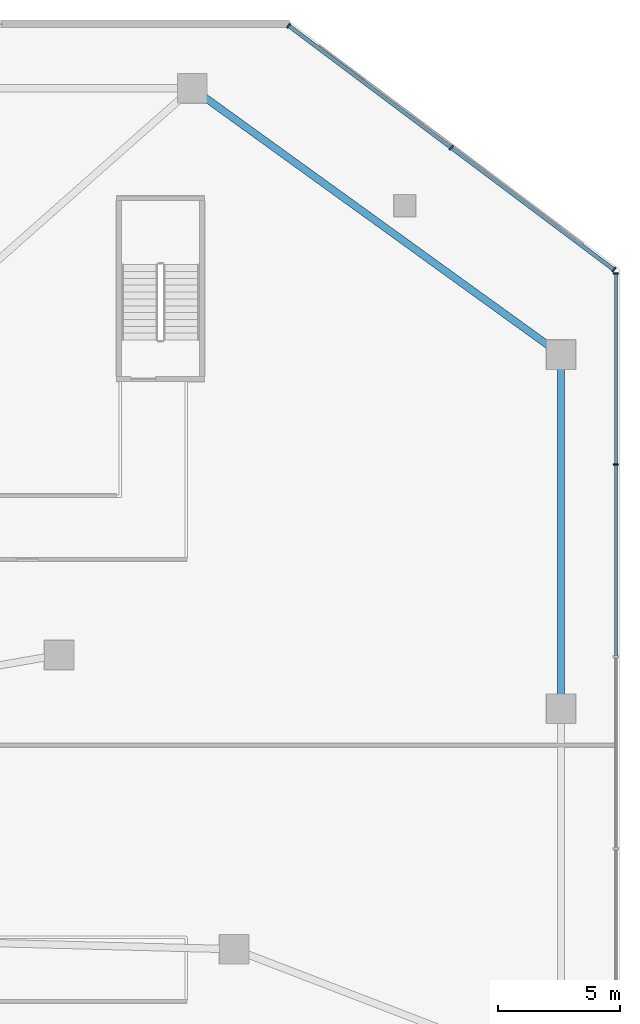
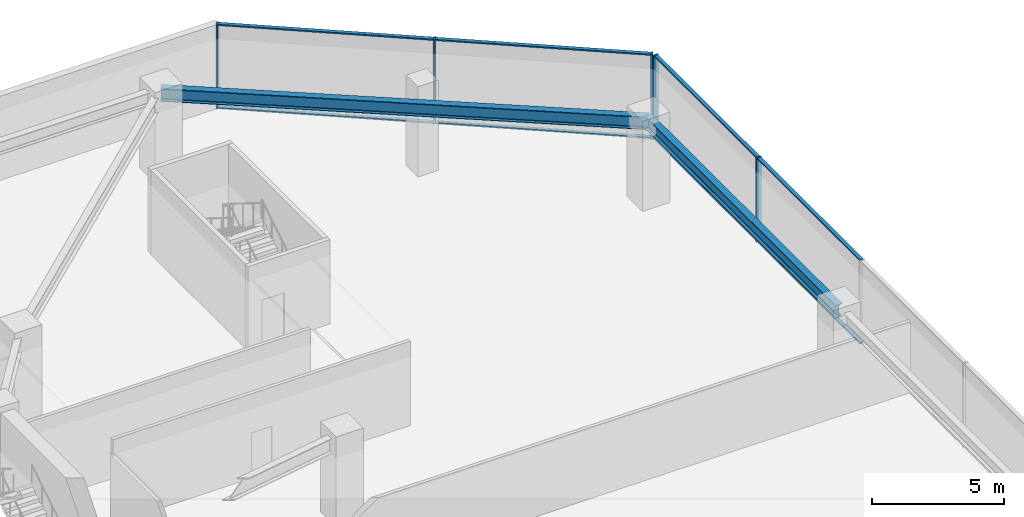
# One storey, part 9 of 21: 13 members, 2 beams, 2 elements without a shape of their own.
"""IFC4 building model written with IfcOpenShell, lengths in metres."""

from ifc_helpers import new_model, si_unit, direction, frame, origin, origin_2d, place, context, subcontext, project, spatial, rectangle, i_section, extrude, material, material_profile, profile_set, type_object, element, aggregate, save


model = new_model("IFC4")

# Units and contexts
model_context = context("Model", 3, precision=1e-05, world=origin(), true_north=direction((0.0, 1.0)))
body_context = subcontext(model_context, "Body", "Model", "MODEL_VIEW")
ifc_project = project(units=[si_unit("LENGTHUNIT", "METRE"), si_unit("AREAUNIT", "SQUARE_METRE"), si_unit("VOLUMEUNIT", "CUBIC_METRE"), si_unit("PLANEANGLEUNIT", "RADIAN"), si_unit("MASSUNIT", "GRAM", prefix="KILO")], contexts=[model_context])

# Site, building, storey
site_placement = place(None, origin())
site = spatial("IfcSite", under=ifc_project, at=site_placement, CompositionType="ELEMENT")
building_placement = place(site_placement, origin())
building = spatial("IfcBuilding", under=site, at=building_placement, Name="Savorim Split Tower", CompositionType="ELEMENT")
storey_placement = place(building_placement, frame((0.0, 0.0, 9.199951171875)))
storey = spatial("IfcBuildingStorey", under=building, at=storey_placement, Name="L02", CompositionType="ELEMENT", Elevation=9.199951171875)

# Beams
ifc_material_1 = material(Name="Steel S355", Category="steel")
ifc_material_profile_1 = material_profile(ifc_material_1, i_section(OverallWidth=0.300048828125, OverallDepth=0.590087890625, WebThickness=0.012939453125, FlangeThickness=0.02490234375, FilletRadius=0.027099609375, at=origin_2d()), Name="HEA 600")
ifc_profile_set_1 = profile_set([ifc_material_profile_1], Name="Steel S355")
beam_type = type_object("IfcBeamType", Name="BM-SPN-HEA600", PredefinedType="SPANDREL", material=ifc_profile_set_1)
beam_1_placement = place(storey_placement, frame((38.60009765625, 0.0, 3.625), z_axis=(0.0, 1.0, 0.0), x_axis=(-1.0, 0.0, 0.0)))
element("IfcBeam", 1, at=beam_1_placement, inside=storey, type_object=beam_type, Name="L02 Podium Spandrel Beam 4", PredefinedType="SPANDREL", context=body_context, shape_type="SweptSolid", body=[
    extrude(i_section(OverallWidth=0.300048828125, OverallDepth=0.590087890625, WebThickness=0.012939453125, FlangeThickness=0.02490234375, FilletRadius=0.027099609375, at=origin_2d()), origin(), (0.0, 0.0, 1.0), 14.5),
])
beam_2_placement = place(storey_placement, frame((38.60009765625, 14.5, 3.625), z_axis=(-0.810825083438, 0.585288547699, 0.0), x_axis=(-0.585288547699, -0.810825083438, 0.0)))
element("IfcBeam", 2, at=beam_2_placement, inside=storey, type_object=beam_type, Name="L02 Podium Spandrel Beam 5", PredefinedType="SPANDREL", context=body_context, shape_type="SweptSolid", body=[
    extrude(i_section(OverallWidth=0.300048828125, OverallDepth=0.590087890625, WebThickness=0.012939453125, FlangeThickness=0.02490234375, FilletRadius=0.027099609375, at=origin_2d()), origin(), (0.0, 0.0, 1.0), 18.623046875),
])

# Curtain wall, members
ifc_material_2 = material(Name="Dark Ceramic-Fritted Insulated Glass", Category="glass")
curtain_wall_type = type_object("IfcCurtainWallType", Name="CW-POD-GLZ", PredefinedType="NOTDEFINED", material=ifc_material_2)
curtain_wall_1_placement = place(storey_placement, origin())
curtain_wall_1 = element("IfcCurtainWall", 3, at=curtain_wall_1_placement, inside=storey, type_object=curtain_wall_type, Name="L02 Curtain Wall CW-L02-E06", PredefinedType="NOTDEFINED")
ifc_material_3 = material(Name="Charcoal Anodised Aluminium", Category="aluminium")
ifc_material_profile_2 = material_profile(ifc_material_3, rectangle(XDim=0.219970703125, YDim=0.070068359375, at=origin_2d()), Name="ALU-M 220x70")
ifc_profile_set_2 = profile_set([ifc_material_profile_2], Name="Charcoal Anodised Aluminium")
member_type_1 = type_object("IfcMemberType", Name="CWM-220x70", PredefinedType="MULLION", material=ifc_profile_set_2)
member_1_placement = place(storey_placement, frame((40.840087890625, 9.99609375, 0.0), z_axis=(0.0, 0.0, 1.0), x_axis=(-1.0, 0.0, 0.0)))
member_1 = element("IfcMember", 4, at=member_1_placement, type_object=member_type_1, Name="CW-01 mullion 5", PredefinedType="MULLION", context=body_context, shape_type="SweptSolid", body=[
    extrude(rectangle(XDim=0.219970703125, YDim=0.070068359375, at=origin_2d()), origin(), (0.0, 0.0, 1.0), 3.920166015625),
])
member_2_placement = place(storey_placement, frame((40.840087890625, 17.824951171875, 0.0), z_axis=(0.0, 0.0, 1.0), x_axis=(-1.0, 0.0, 0.0)))
member_2 = element("IfcMember", 5, at=member_2_placement, type_object=member_type_1, Name="CW-01 mullion 6", PredefinedType="MULLION", context=body_context, shape_type="SweptSolid", body=[
    extrude(rectangle(XDim=0.219970703125, YDim=0.070068359375, at=origin_2d()), origin(), (0.0, 0.0, 1.0), 3.920166015625),
])

curtain_wall_2_placement = place(storey_placement, origin())
curtain_wall_2 = element("IfcCurtainWall", 6, at=curtain_wall_2_placement, inside=storey, type_object=curtain_wall_type, Name="L02 Curtain Wall CW-L02-E07", PredefinedType="NOTDEFINED")
member_3_placement = place(storey_placement, frame((40.763916015625, 17.97705078125, 0.0), z_axis=(0.0, 0.0, 1.0), x_axis=(-0.600000000002, -0.799999999998, 0.0)))
member_3 = element("IfcMember", 7, at=member_3_placement, type_object=member_type_1, Name="CW-01 mullion 1", PredefinedType="MULLION", context=body_context, shape_type="SweptSolid", body=[
    extrude(rectangle(XDim=0.219970703125, YDim=0.070068359375, at=origin_2d()), origin(), (0.0, 0.0, 1.0), 3.920166015625),
])
member_4_placement = place(storey_placement, frame((34.10400390625, 22.971923828125, 0.0), z_axis=(0.0, 0.0, 1.0), x_axis=(-0.600000000002, -0.799999999998, 0.0)))
member_4 = element("IfcMember", 8, at=member_4_placement, type_object=member_type_1, Name="CW-01 mullion 2", PredefinedType="MULLION", context=body_context, shape_type="SweptSolid", body=[
    extrude(rectangle(XDim=0.219970703125, YDim=0.070068359375, at=origin_2d()), origin(), (0.0, 0.0, 1.0), 3.920166015625),
])
member_5_placement = place(storey_placement, frame((27.444091796875, 27.967041015625, 0.0), z_axis=(0.0, 0.0, 1.0), x_axis=(-0.600000000002, -0.799999999998, 0.0)))
member_5 = element("IfcMember", 9, at=member_5_placement, type_object=member_type_1, Name="CW-01 mullion 3", PredefinedType="MULLION", context=body_context, shape_type="SweptSolid", body=[
    extrude(rectangle(XDim=0.219970703125, YDim=0.070068359375, at=origin_2d()), origin(), (0.0, 0.0, 1.0), 3.920166015625),
])

# Member
ifc_material_profile_3 = material_profile(ifc_material_3, rectangle(XDim=0.159912109375, YDim=0.06005859375, at=origin_2d()), Name="ALU-T 160x60")
ifc_profile_set_3 = profile_set([ifc_material_profile_3], Name="Charcoal Anodised Aluminium")
member_type_2 = type_object("IfcMemberType", Name="CWT-160x60", PredefinedType="USERDEFINED", material=ifc_profile_set_3)
member_6_placement = place(storey_placement, frame((40.840087890625, 2.1669921875, 0.030029296875), z_axis=(0.0, 1.0, 0.0), x_axis=(-1.0, 0.0, 0.0)))
member_6 = element("IfcMember", 10, at=member_6_placement, type_object=member_type_2, Name="CW-01 transom 4.1", ObjectType="TRANSOM", PredefinedType="USERDEFINED", context=body_context, shape_type="SweptSolid", body=[
    extrude(rectangle(XDim=0.159912109375, YDim=0.06005859375, at=origin_2d()), origin(), (0.0, 0.0, 1.0), 7.7939453125),
])

member_7_placement = place(storey_placement, frame((40.840087890625, 2.1669921875, 3.89013671875), z_axis=(0.0, 1.0, 0.0), x_axis=(-1.0, 0.0, 0.0)))
member_7 = element("IfcMember", 11, at=member_7_placement, type_object=member_type_2, Name="CW-01 transom 4.2", ObjectType="TRANSOM", PredefinedType="USERDEFINED", context=body_context, shape_type="SweptSolid", body=[
    extrude(rectangle(XDim=0.159912109375, YDim=0.06005859375, at=origin_2d()), origin(), (0.0, 0.0, 1.0), 7.7939453125),
])

member_8_placement = place(storey_placement, frame((40.840087890625, 10.031005859375, 0.030029296875), z_axis=(0.0, 1.0, 0.0), x_axis=(-1.0, 0.0, 0.0)))
member_8 = element("IfcMember", 12, at=member_8_placement, type_object=member_type_2, Name="CW-01 transom 5.1", ObjectType="TRANSOM", PredefinedType="USERDEFINED", context=body_context, shape_type="SweptSolid", body=[
    extrude(rectangle(XDim=0.159912109375, YDim=0.06005859375, at=origin_2d()), origin(), (0.0, 0.0, 1.0), 7.759033203125),
])

member_9_placement = place(storey_placement, frame((40.840087890625, 10.031005859375, 3.89013671875), z_axis=(0.0, 1.0, 0.0), x_axis=(-1.0, 0.0, 0.0)))
member_9 = element("IfcMember", 13, at=member_9_placement, type_object=member_type_2, Name="CW-01 transom 5.2", ObjectType="TRANSOM", PredefinedType="USERDEFINED", context=body_context, shape_type="SweptSolid", body=[
    extrude(rectangle(XDim=0.159912109375, YDim=0.06005859375, at=origin_2d()), origin(), (0.0, 0.0, 1.0), 7.759033203125),
])

aggregate(curtain_wall_1, [member_1, member_2, member_6, member_7, member_8, member_9])

member_10_placement = place(storey_placement, frame((40.736083984375, 17.998046875, 0.030029296875), z_axis=(-0.800007097974, 0.599990535918, 0.0), x_axis=(-0.599990535918, -0.800007097974, 0.0)))
member_10 = element("IfcMember", 14, at=member_10_placement, type_object=member_type_2, Name="CW-01 transom 1.1", ObjectType="TRANSOM", PredefinedType="USERDEFINED", context=body_context, shape_type="SweptSolid", body=[
    extrude(rectangle(XDim=0.159912109375, YDim=0.06005859375, at=origin_2d()), origin(), (0.0, 0.0, 1.0), 8.2548828125),
])

member_11_placement = place(storey_placement, frame((40.736083984375, 17.998046875, 3.89013671875), z_axis=(-0.800007097974, 0.599990535918, 0.0), x_axis=(-0.599990535918, -0.800007097974, 0.0)))
member_11 = element("IfcMember", 15, at=member_11_placement, type_object=member_type_2, Name="CW-01 transom 1.2", ObjectType="TRANSOM", PredefinedType="USERDEFINED", context=body_context, shape_type="SweptSolid", body=[
    extrude(rectangle(XDim=0.159912109375, YDim=0.06005859375, at=origin_2d()), origin(), (0.0, 0.0, 1.0), 8.2548828125),
])

member_12_placement = place(storey_placement, frame((34.075927734375, 22.992919921875, 0.030029296875), z_axis=(-0.79999290204, 0.60000946383, 0.0), x_axis=(-0.60000946383, -0.79999290204, 0.0)))
member_12 = element("IfcMember", 16, at=member_12_placement, type_object=member_type_2, Name="CW-01 transom 2.1", ObjectType="TRANSOM", PredefinedType="USERDEFINED", context=body_context, shape_type="SweptSolid", body=[
    extrude(rectangle(XDim=0.159912109375, YDim=0.06005859375, at=origin_2d()), origin(), (0.0, 0.0, 1.0), 8.255126953125),
])

member_13_placement = place(storey_placement, frame((34.075927734375, 22.992919921875, 3.89013671875), z_axis=(-0.79999290204, 0.60000946383, 0.0), x_axis=(-0.60000946383, -0.79999290204, 0.0)))
member_13 = element("IfcMember", 17, at=member_13_placement, type_object=member_type_2, Name="CW-01 transom 2.2", ObjectType="TRANSOM", PredefinedType="USERDEFINED", context=body_context, shape_type="SweptSolid", body=[
    extrude(rectangle(XDim=0.159912109375, YDim=0.06005859375, at=origin_2d()), origin(), (0.0, 0.0, 1.0), 8.255126953125),
])

aggregate(curtain_wall_2, [member_3, member_4, member_5, member_10, member_11, member_12, member_13])

save(model, "model.ifc")
